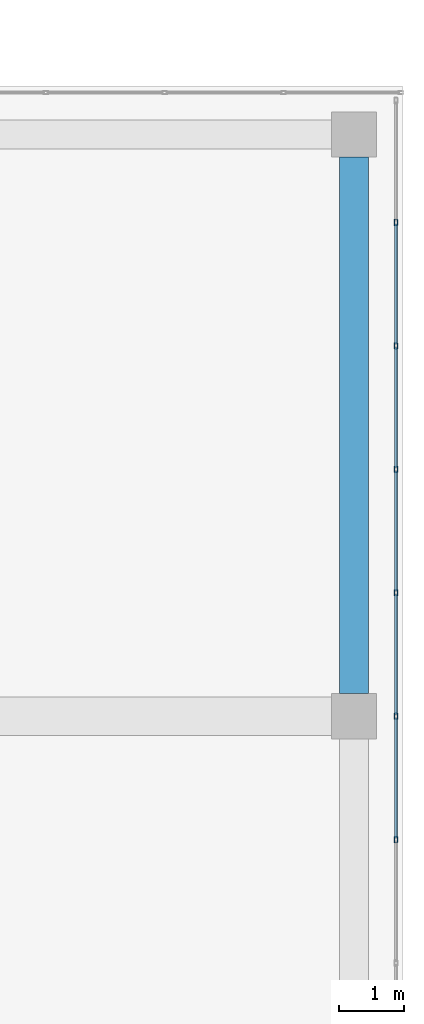
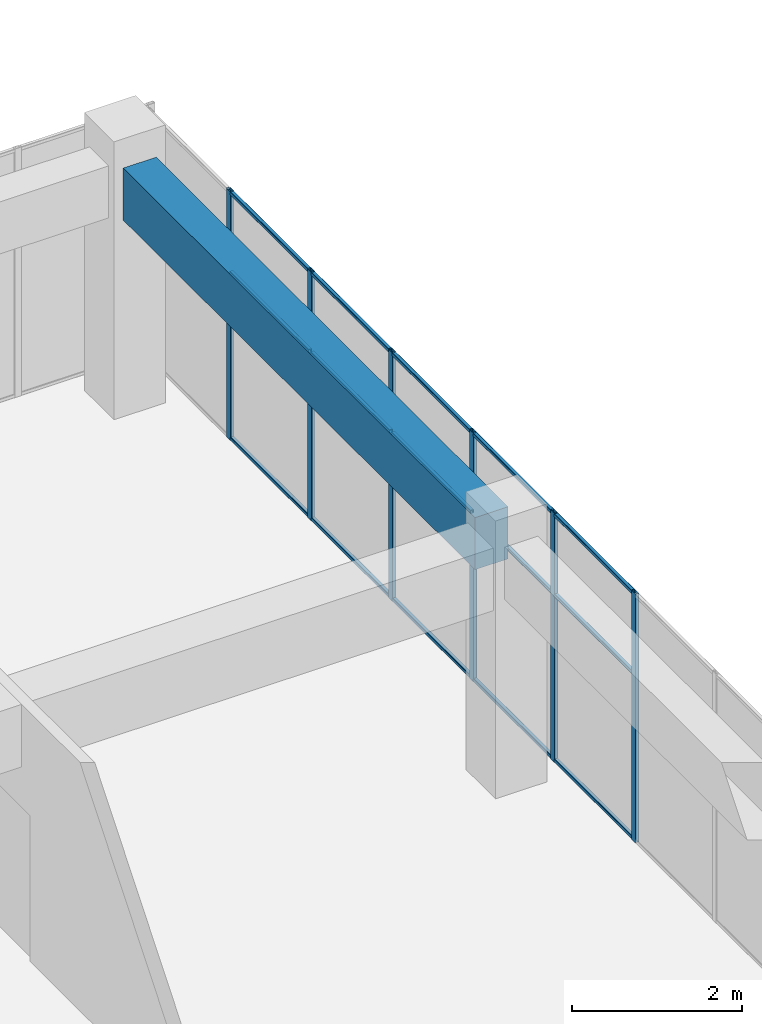
# One storey, part 17 of 32: 21 members, 1 beam, 1 element without a shape of its own.
"""IFC4 building model written with IfcOpenShell, lengths in metres."""

from ifc_helpers import new_model, si_unit, direction, frame, origin, origin_2d, place, context, subcontext, project, spatial, rectangle, hollow_rectangle, extrude, material, layer, layer_set, material_profile, profile_set, type_object, element, aggregate, save


model = new_model("IFC4")

# Units and contexts
model_context = context("Model", 3, precision=1e-05, world=origin(), true_north=direction((0.0, 1.0)))
body_context = subcontext(model_context, "Body", "Model", "MODEL_VIEW")
ifc_project = project(units=[si_unit("LENGTHUNIT", "METRE"), si_unit("AREAUNIT", "SQUARE_METRE"), si_unit("VOLUMEUNIT", "CUBIC_METRE"), si_unit("PLANEANGLEUNIT", "RADIAN"), si_unit("MASSUNIT", "GRAM", prefix="KILO")], contexts=[model_context])

# Site, building, storey
site_placement = place(None, origin())
site = spatial("IfcSite", under=ifc_project, at=site_placement, CompositionType="ELEMENT")
building_placement = place(site_placement, origin())
building = spatial("IfcBuilding", under=site, at=building_placement, Name="Tuart Plaza Theatre", CompositionType="ELEMENT")
storey_placement = place(building_placement, frame((0.0, 0.0, 37.5)))
storey = spatial("IfcBuildingStorey", under=building, at=storey_placement, Name="L09", CompositionType="ELEMENT", Elevation=37.5)

# Beam
ifc_material_1 = material(Name="Concrete N40 (40 MPa)", Category="concrete")
ifc_material_profile_1 = material_profile(ifc_material_1, rectangle(XDim=0.449951171875, YDim=0.75, at=origin_2d()), Name="BEAM 450x750 Concrete N40 (40 MPa)")
ifc_profile_set_1 = profile_set([ifc_material_profile_1], Name="Concrete N40 (40 MPa)")
beam_type = type_object("IfcBeamType", Name="BEAM 450x750 Concrete N40 (40 MPa)", PredefinedType="BEAM", material=ifc_profile_set_1)
beam_placement = place(storey_placement, frame((150.0, 74.35009765625, 3.205078125), z_axis=(0.0, 1.0, 0.0), x_axis=(-1.0, 0.0, 0.0)))
element("IfcBeam", 1, at=beam_placement, inside=storey, type_object=beam_type, Name="RB278", PredefinedType="BEAM", context=body_context, shape_type="SweptSolid", body=[
    extrude(rectangle(XDim=0.449951171875, YDim=0.75, at=origin_2d()), origin(), (0.0, 0.0, 1.0), 8.2998046875),
])

# Curtain wall, members
ifc_material_2 = material(Name="Aluminium and glass", Category="aluminium")
ifc_layer = layer(ifc_material_2, 0.10009765625)
ifc_layer_set = layer_set([ifc_layer], Name="CURTAIN WALL 2000 module")
curtain_wall_type = type_object("IfcCurtainWallType", Name="CURTAIN WALL 2000 module", PredefinedType="NOTDEFINED", material=ifc_layer_set)
curtain_wall_placement = place(storey_placement, origin())
curtain_wall = element("IfcCurtainWall", 2, at=curtain_wall_placement, inside=storey, type_object=curtain_wall_type, Name="CW92", PredefinedType="NOTDEFINED")
ifc_material_3 = material(Name="Aluminium 6063-T5", Category="aluminium")
ifc_material_profile_2 = material_profile(ifc_material_3, hollow_rectangle(XDim=0.050048828125, YDim=0.10009765625, WallThickness=0.00390625, InnerFilletRadius=0.00390625, OuterFilletRadius=0.008056640625, at=origin_2d()), Name="RHS 100x50x4")
ifc_profile_set_2 = profile_set([ifc_material_profile_2], Name="Aluminium 6063-T5")
member_type_1 = type_object("IfcMemberType", Name="MULLION RHS 100x50x4", PredefinedType="MULLION", material=ifc_profile_set_2)
member_1_placement = place(storey_placement, frame((150.64990234375, 72.090087890625, 0.0), z_axis=(0.0, 0.0, 1.0), x_axis=(-1.0, 0.0, 0.0)))
member_1 = element("IfcMember", 3, at=member_1_placement, type_object=member_type_1, Name="CW92 mullion 5", PredefinedType="MULLION", context=body_context, shape_type="SweptSolid", body=[
    extrude(hollow_rectangle(XDim=0.050048828125, YDim=0.10009765625, WallThickness=0.00390625, InnerFilletRadius=0.00390625, OuterFilletRadius=0.008056640625, at=origin_2d()), origin(), (0.0, 0.0, 1.0), 3.580078125),
])
member_2_placement = place(storey_placement, frame((150.64990234375, 74.0, 0.0), z_axis=(0.0, 0.0, 1.0), x_axis=(-1.0, 0.0, 0.0)))
member_2 = element("IfcMember", 4, at=member_2_placement, type_object=member_type_1, Name="CW92 mullion 6", PredefinedType="MULLION", context=body_context, shape_type="SweptSolid", body=[
    extrude(hollow_rectangle(XDim=0.050048828125, YDim=0.10009765625, WallThickness=0.00390625, InnerFilletRadius=0.00390625, OuterFilletRadius=0.008056640625, at=origin_2d()), origin(), (0.0, 0.0, 1.0), 3.580078125),
])
member_3_placement = place(storey_placement, frame((150.64990234375, 75.909912109375, 0.0), z_axis=(0.0, 0.0, 1.0), x_axis=(-1.0, 0.0, 0.0)))
member_3 = element("IfcMember", 5, at=member_3_placement, type_object=member_type_1, Name="CW92 mullion 7", PredefinedType="MULLION", context=body_context, shape_type="SweptSolid", body=[
    extrude(hollow_rectangle(XDim=0.050048828125, YDim=0.10009765625, WallThickness=0.00390625, InnerFilletRadius=0.00390625, OuterFilletRadius=0.008056640625, at=origin_2d()), origin(), (0.0, 0.0, 1.0), 3.580078125),
])
member_4_placement = place(storey_placement, frame((150.64990234375, 77.820068359375, 0.0), z_axis=(0.0, 0.0, 1.0), x_axis=(-1.0, 0.0, 0.0)))
member_4 = element("IfcMember", 6, at=member_4_placement, type_object=member_type_1, Name="CW92 mullion 8", PredefinedType="MULLION", context=body_context, shape_type="SweptSolid", body=[
    extrude(hollow_rectangle(XDim=0.050048828125, YDim=0.10009765625, WallThickness=0.00390625, InnerFilletRadius=0.00390625, OuterFilletRadius=0.008056640625, at=origin_2d()), origin(), (0.0, 0.0, 1.0), 3.580078125),
])
member_5_placement = place(storey_placement, frame((150.64990234375, 79.72998046875, 0.0), z_axis=(0.0, 0.0, 1.0), x_axis=(-1.0, 0.0, 0.0)))
member_5 = element("IfcMember", 7, at=member_5_placement, type_object=member_type_1, Name="CW92 mullion 9", PredefinedType="MULLION", context=body_context, shape_type="SweptSolid", body=[
    extrude(hollow_rectangle(XDim=0.050048828125, YDim=0.10009765625, WallThickness=0.00390625, InnerFilletRadius=0.00390625, OuterFilletRadius=0.008056640625, at=origin_2d()), origin(), (0.0, 0.0, 1.0), 3.580078125),
])
member_6_placement = place(storey_placement, frame((150.64990234375, 81.639892578125, 0.0), z_axis=(0.0, 0.0, 1.0), x_axis=(-1.0, 0.0, 0.0)))
member_6 = element("IfcMember", 8, at=member_6_placement, type_object=member_type_1, Name="CW92 mullion 10", PredefinedType="MULLION", context=body_context, shape_type="SweptSolid", body=[
    extrude(hollow_rectangle(XDim=0.050048828125, YDim=0.10009765625, WallThickness=0.00390625, InnerFilletRadius=0.00390625, OuterFilletRadius=0.008056640625, at=origin_2d()), origin(), (0.0, 0.0, 1.0), 3.580078125),
])
ifc_material_4 = material(Name="Aluminium 6063-T5", Category="aluminium")
ifc_material_profile_3 = material_profile(ifc_material_4, hollow_rectangle(XDim=0.050048828125, YDim=0.050048828125, WallThickness=0.00390625, InnerFilletRadius=0.00390625, OuterFilletRadius=0.008056640625, at=origin_2d()), Name="RHS 50x50x4")
ifc_profile_set_3 = profile_set([ifc_material_profile_3], Name="Aluminium 6063-T5")
member_type_2 = type_object("IfcMemberType", Name="TRANSOM RHS 50x50x4", PredefinedType="USERDEFINED", material=ifc_profile_set_3)
member_7_placement = place(storey_placement, frame((150.64990234375, 72.114990234375, 0.02490234375), z_axis=(0.0, 1.0, 0.0), x_axis=(-1.0, 0.0, 0.0)))
member_7 = element("IfcMember", 9, at=member_7_placement, type_object=member_type_2, Name="CW92 transom 5.1", ObjectType="TRANSOM", PredefinedType="USERDEFINED", context=body_context, shape_type="SweptSolid", body=[
    extrude(hollow_rectangle(XDim=0.050048828125, YDim=0.050048828125, WallThickness=0.00390625, InnerFilletRadius=0.00390625, OuterFilletRadius=0.008056640625, at=origin_2d()), origin(), (0.0, 0.0, 1.0), 1.860107421875),
])
member_8_placement = place(storey_placement, frame((150.64990234375, 72.114990234375, 2.39990234375), z_axis=(0.0, 1.0, 0.0), x_axis=(-1.0, 0.0, 0.0)))
member_8 = element("IfcMember", 10, at=member_8_placement, type_object=member_type_2, Name="CW92 transom 5.2", ObjectType="TRANSOM", PredefinedType="USERDEFINED", context=body_context, shape_type="SweptSolid", body=[
    extrude(hollow_rectangle(XDim=0.050048828125, YDim=0.050048828125, WallThickness=0.00390625, InnerFilletRadius=0.00390625, OuterFilletRadius=0.008056640625, at=origin_2d()), origin(), (0.0, 0.0, 1.0), 1.860107421875),
])
member_9_placement = place(storey_placement, frame((150.64990234375, 72.114990234375, 3.554931640625), z_axis=(0.0, 1.0, 0.0), x_axis=(-1.0, 0.0, 0.0)))
member_9 = element("IfcMember", 11, at=member_9_placement, type_object=member_type_2, Name="CW92 transom 5.3", ObjectType="TRANSOM", PredefinedType="USERDEFINED", context=body_context, shape_type="SweptSolid", body=[
    extrude(hollow_rectangle(XDim=0.050048828125, YDim=0.050048828125, WallThickness=0.00390625, InnerFilletRadius=0.00390625, OuterFilletRadius=0.008056640625, at=origin_2d()), origin(), (0.0, 0.0, 1.0), 1.860107421875),
])
member_10_placement = place(storey_placement, frame((150.64990234375, 74.02490234375, 0.02490234375), z_axis=(0.0, 1.0, 0.0), x_axis=(-1.0, 0.0, 0.0)))
member_10 = element("IfcMember", 12, at=member_10_placement, type_object=member_type_2, Name="CW92 transom 6.1", ObjectType="TRANSOM", PredefinedType="USERDEFINED", context=body_context, shape_type="SweptSolid", body=[
    extrude(hollow_rectangle(XDim=0.050048828125, YDim=0.050048828125, WallThickness=0.00390625, InnerFilletRadius=0.00390625, OuterFilletRadius=0.008056640625, at=origin_2d()), origin(), (0.0, 0.0, 1.0), 1.860107421875),
])
member_11_placement = place(storey_placement, frame((150.64990234375, 74.02490234375, 2.39990234375), z_axis=(0.0, 1.0, 0.0), x_axis=(-1.0, 0.0, 0.0)))
member_11 = element("IfcMember", 13, at=member_11_placement, type_object=member_type_2, Name="CW92 transom 6.2", ObjectType="TRANSOM", PredefinedType="USERDEFINED", context=body_context, shape_type="SweptSolid", body=[
    extrude(hollow_rectangle(XDim=0.050048828125, YDim=0.050048828125, WallThickness=0.00390625, InnerFilletRadius=0.00390625, OuterFilletRadius=0.008056640625, at=origin_2d()), origin(), (0.0, 0.0, 1.0), 1.860107421875),
])
member_12_placement = place(storey_placement, frame((150.64990234375, 74.02490234375, 3.554931640625), z_axis=(0.0, 1.0, 0.0), x_axis=(-1.0, 0.0, 0.0)))
member_12 = element("IfcMember", 14, at=member_12_placement, type_object=member_type_2, Name="CW92 transom 6.3", ObjectType="TRANSOM", PredefinedType="USERDEFINED", context=body_context, shape_type="SweptSolid", body=[
    extrude(hollow_rectangle(XDim=0.050048828125, YDim=0.050048828125, WallThickness=0.00390625, InnerFilletRadius=0.00390625, OuterFilletRadius=0.008056640625, at=origin_2d()), origin(), (0.0, 0.0, 1.0), 1.860107421875),
])
member_13_placement = place(storey_placement, frame((150.64990234375, 75.93505859375, 0.02490234375), z_axis=(0.0, 1.0, 0.0), x_axis=(-1.0, 0.0, 0.0)))
member_13 = element("IfcMember", 15, at=member_13_placement, type_object=member_type_2, Name="CW92 transom 7.1", ObjectType="TRANSOM", PredefinedType="USERDEFINED", context=body_context, shape_type="SweptSolid", body=[
    extrude(hollow_rectangle(XDim=0.050048828125, YDim=0.050048828125, WallThickness=0.00390625, InnerFilletRadius=0.00390625, OuterFilletRadius=0.008056640625, at=origin_2d()), origin(), (0.0, 0.0, 1.0), 1.85986328125),
])
member_14_placement = place(storey_placement, frame((150.64990234375, 75.93505859375, 2.39990234375), z_axis=(0.0, 1.0, 0.0), x_axis=(-1.0, 0.0, 0.0)))
member_14 = element("IfcMember", 16, at=member_14_placement, type_object=member_type_2, Name="CW92 transom 7.2", ObjectType="TRANSOM", PredefinedType="USERDEFINED", context=body_context, shape_type="SweptSolid", body=[
    extrude(hollow_rectangle(XDim=0.050048828125, YDim=0.050048828125, WallThickness=0.00390625, InnerFilletRadius=0.00390625, OuterFilletRadius=0.008056640625, at=origin_2d()), origin(), (0.0, 0.0, 1.0), 1.85986328125),
])
member_15_placement = place(storey_placement, frame((150.64990234375, 75.93505859375, 3.554931640625), z_axis=(0.0, 1.0, 0.0), x_axis=(-1.0, 0.0, 0.0)))
member_15 = element("IfcMember", 17, at=member_15_placement, type_object=member_type_2, Name="CW92 transom 7.3", ObjectType="TRANSOM", PredefinedType="USERDEFINED", context=body_context, shape_type="SweptSolid", body=[
    extrude(hollow_rectangle(XDim=0.050048828125, YDim=0.050048828125, WallThickness=0.00390625, InnerFilletRadius=0.00390625, OuterFilletRadius=0.008056640625, at=origin_2d()), origin(), (0.0, 0.0, 1.0), 1.85986328125),
])
member_16_placement = place(storey_placement, frame((150.64990234375, 77.844970703125, 0.02490234375), z_axis=(0.0, 1.0, 0.0), x_axis=(-1.0, 0.0, 0.0)))
member_16 = element("IfcMember", 18, at=member_16_placement, type_object=member_type_2, Name="CW92 transom 8.1", ObjectType="TRANSOM", PredefinedType="USERDEFINED", context=body_context, shape_type="SweptSolid", body=[
    extrude(hollow_rectangle(XDim=0.050048828125, YDim=0.050048828125, WallThickness=0.00390625, InnerFilletRadius=0.00390625, OuterFilletRadius=0.008056640625, at=origin_2d()), origin(), (0.0, 0.0, 1.0), 1.860107421875),
])
member_17_placement = place(storey_placement, frame((150.64990234375, 77.844970703125, 2.39990234375), z_axis=(0.0, 1.0, 0.0), x_axis=(-1.0, 0.0, 0.0)))
member_17 = element("IfcMember", 19, at=member_17_placement, type_object=member_type_2, Name="CW92 transom 8.2", ObjectType="TRANSOM", PredefinedType="USERDEFINED", context=body_context, shape_type="SweptSolid", body=[
    extrude(hollow_rectangle(XDim=0.050048828125, YDim=0.050048828125, WallThickness=0.00390625, InnerFilletRadius=0.00390625, OuterFilletRadius=0.008056640625, at=origin_2d()), origin(), (0.0, 0.0, 1.0), 1.860107421875),
])
member_18_placement = place(storey_placement, frame((150.64990234375, 77.844970703125, 3.554931640625), z_axis=(0.0, 1.0, 0.0), x_axis=(-1.0, 0.0, 0.0)))
member_18 = element("IfcMember", 20, at=member_18_placement, type_object=member_type_2, Name="CW92 transom 8.3", ObjectType="TRANSOM", PredefinedType="USERDEFINED", context=body_context, shape_type="SweptSolid", body=[
    extrude(hollow_rectangle(XDim=0.050048828125, YDim=0.050048828125, WallThickness=0.00390625, InnerFilletRadius=0.00390625, OuterFilletRadius=0.008056640625, at=origin_2d()), origin(), (0.0, 0.0, 1.0), 1.860107421875),
])
member_19_placement = place(storey_placement, frame((150.64990234375, 79.7548828125, 0.02490234375), z_axis=(0.0, 1.0, 0.0), x_axis=(-1.0, 0.0, 0.0)))
member_19 = element("IfcMember", 21, at=member_19_placement, type_object=member_type_2, Name="CW92 transom 9.1", ObjectType="TRANSOM", PredefinedType="USERDEFINED", context=body_context, shape_type="SweptSolid", body=[
    extrude(hollow_rectangle(XDim=0.050048828125, YDim=0.050048828125, WallThickness=0.00390625, InnerFilletRadius=0.00390625, OuterFilletRadius=0.008056640625, at=origin_2d()), origin(), (0.0, 0.0, 1.0), 1.860107421875),
])
member_20_placement = place(storey_placement, frame((150.64990234375, 79.7548828125, 2.39990234375), z_axis=(0.0, 1.0, 0.0), x_axis=(-1.0, 0.0, 0.0)))
member_20 = element("IfcMember", 22, at=member_20_placement, type_object=member_type_2, Name="CW92 transom 9.2", ObjectType="TRANSOM", PredefinedType="USERDEFINED", context=body_context, shape_type="SweptSolid", body=[
    extrude(hollow_rectangle(XDim=0.050048828125, YDim=0.050048828125, WallThickness=0.00390625, InnerFilletRadius=0.00390625, OuterFilletRadius=0.008056640625, at=origin_2d()), origin(), (0.0, 0.0, 1.0), 1.860107421875),
])
member_21_placement = place(storey_placement, frame((150.64990234375, 79.7548828125, 3.554931640625), z_axis=(0.0, 1.0, 0.0), x_axis=(-1.0, 0.0, 0.0)))
member_21 = element("IfcMember", 23, at=member_21_placement, type_object=member_type_2, Name="CW92 transom 9.3", ObjectType="TRANSOM", PredefinedType="USERDEFINED", context=body_context, shape_type="SweptSolid", body=[
    extrude(hollow_rectangle(XDim=0.050048828125, YDim=0.050048828125, WallThickness=0.00390625, InnerFilletRadius=0.00390625, OuterFilletRadius=0.008056640625, at=origin_2d()), origin(), (0.0, 0.0, 1.0), 1.860107421875),
])
aggregate(curtain_wall, [member_1, member_2, member_3, member_4, member_5, member_6, member_7, member_8, member_9, member_10, member_11, member_12, member_13, member_14, member_15, member_16, member_17, member_18, member_19, member_20, member_21])

save(model, "model.ifc")
